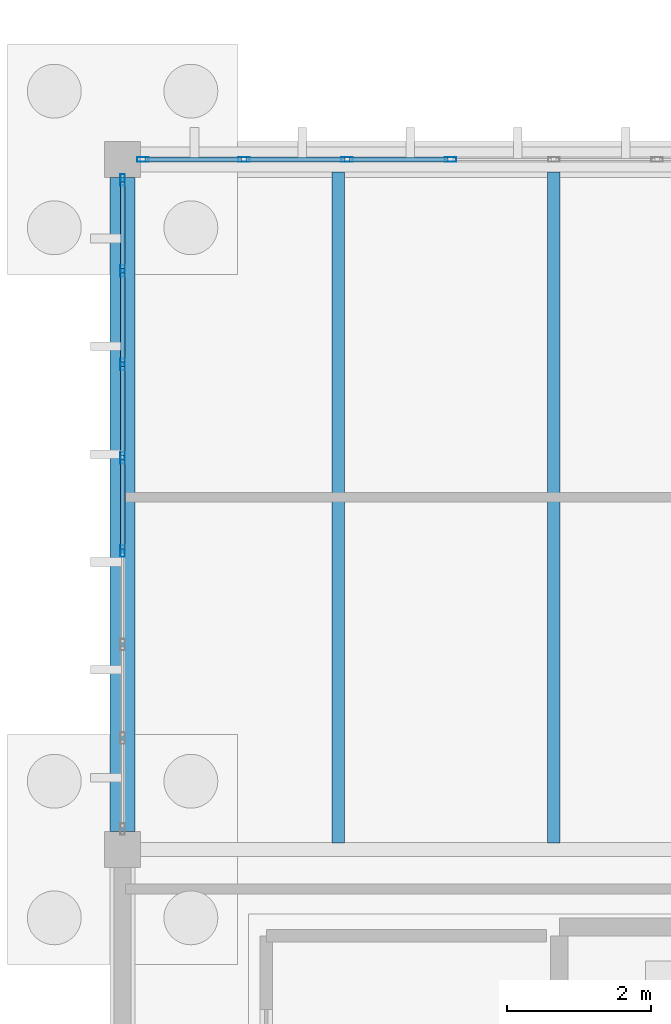
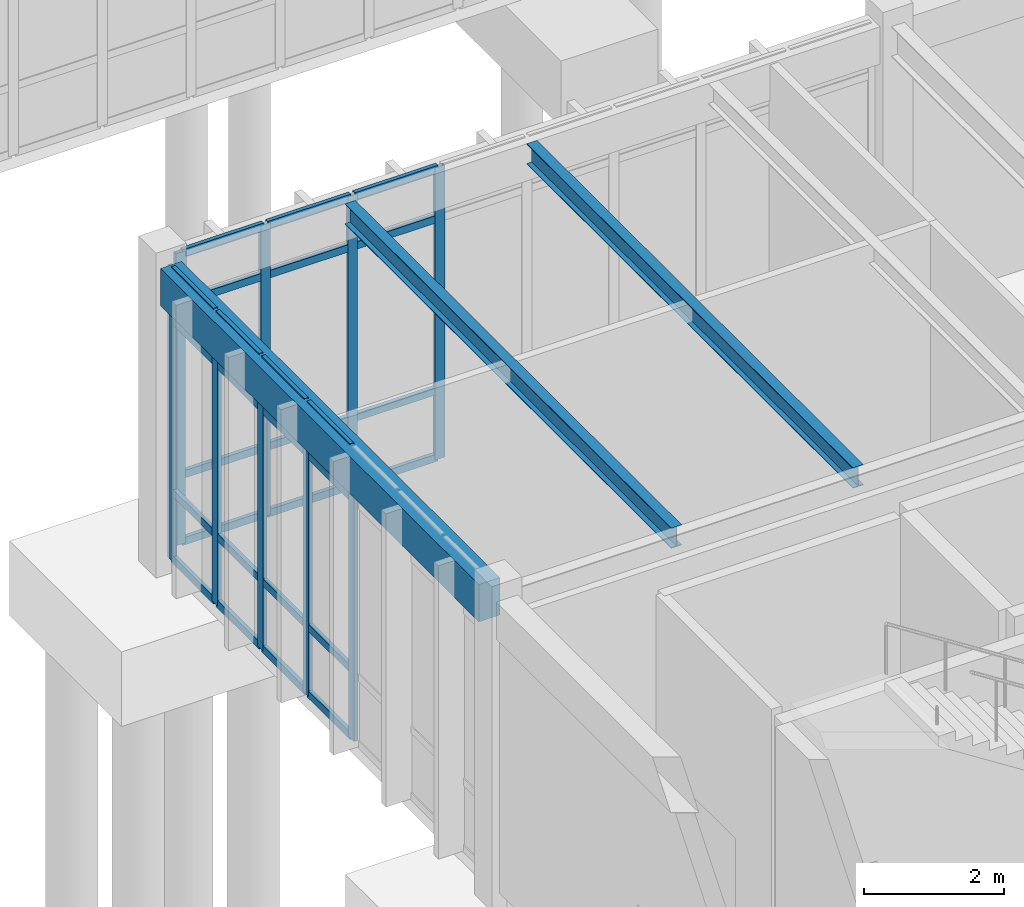
# One storey, part 27 of 188: 37 members, 3 beams, 2 elements without a shape of their own.
"""IFC4 building model written with IfcOpenShell, lengths in metres."""

from ifc_helpers import new_model, si_unit, direction, frame, origin, origin_2d, place, context, subcontext, project, spatial, rectangle, hollow_rectangle, i_section, extrude, material, layer, layer_set, material_profile, profile_set, type_object, element, aggregate, save


model = new_model("IFC4")

# Units and contexts
model_context = context("Model", 3, precision=1e-05, world=origin(), true_north=direction((0.0, 1.0)))
body_context = subcontext(model_context, "Body", "Model", "MODEL_VIEW")
ifc_project = project(units=[si_unit("LENGTHUNIT", "METRE"), si_unit("AREAUNIT", "SQUARE_METRE"), si_unit("VOLUMEUNIT", "CUBIC_METRE"), si_unit("PLANEANGLEUNIT", "RADIAN"), si_unit("MASSUNIT", "GRAM", prefix="KILO")], contexts=[model_context])

# Site, building, storey
site_placement = place(None, origin())
site = spatial("IfcSite", under=ifc_project, at=site_placement, CompositionType="ELEMENT")
building_placement = place(site_placement, origin())
building = spatial("IfcBuilding", under=site, at=building_placement, Name="Pandanus Reach Market Hall", CompositionType="ELEMENT")
storey_placement = place(building_placement, origin())
storey = spatial("IfcBuildingStorey", under=building, at=storey_placement, Name="L00", CompositionType="ELEMENT", Elevation=0.0)

# Beam
ifc_material_1 = material(Name="Concrete N40 (40 MPa)", Category="concrete")
ifc_material_profile_1 = material_profile(ifc_material_1, rectangle(XDim=0.35009765625, YDim=0.64990234375, at=origin_2d()), Name="RC350x650", Category="LoadBearing")
ifc_profile_set_1 = profile_set([ifc_material_profile_1], Name="Concrete N40 (40 MPa)")
beam_type_1 = type_object("IfcBeamType", Name="BM-RC350-E", PredefinedType="SPANDREL", material=ifc_profile_set_1)
beam_placement = place(storey_placement, frame((0.0, 19.447998046875, 4.784912109375), z_axis=(0.0, 1.0, 0.0), x_axis=(-1.0, 0.0, 0.0)))
element("IfcBeam", 1, at=beam_placement, inside=storey, type_object=beam_type_1, Name="Framing beam BM-RC350-E L00.935", PredefinedType="SPANDREL", context=body_context, shape_type="SweptSolid", body=[
    extrude(rectangle(XDim=0.35009765625, YDim=0.64990234375, at=origin_2d()), origin(), (0.0, 0.0, 1.0), 9.10400390625),
])

# Curtain wall, members
ifc_material_2 = material(Name="Bronze anodised aluminium and low-E glass", Category="aluminium")
ifc_layer_1 = layer(ifc_material_2, 0.159912109375, Name="CW-11")
ifc_layer_set_1 = layer_set([ifc_layer_1], Name="Bronze anodised aluminium and low-E glass")
curtain_wall_type_1 = type_object("IfcCurtainWallType", Name="CW-11", PredefinedType="NOTDEFINED", material=ifc_layer_set_1)
curtain_wall_1_placement = place(storey_placement, origin())
curtain_wall_1 = element("IfcCurtainWall", 2, at=curtain_wall_1_placement, inside=storey, type_object=curtain_wall_type_1, Name="Glazed curtain wall CW-11 CW-0049", PredefinedType="NOTDEFINED")
ifc_material_3 = material(Name="Bronze anodised aluminium", Category="aluminium")
ifc_material_profile_2 = material_profile(ifc_material_3, hollow_rectangle(XDim=0.06494140625, YDim=0.159912109375, WallThickness=0.00390625, at=origin_2d()), Name="ALU65x160", Category="LoadBearing")
ifc_profile_set_2 = profile_set([ifc_material_profile_2], Name="Bronze anodised aluminium")
member_type_1 = type_object("IfcMemberType", Name="CW-M1", PredefinedType="MULLION", material=ifc_profile_set_2)
member_1_placement = place(storey_placement, frame((0.282470703125, 28.800048828125, 0.0), z_axis=(0.0, 0.0, 1.0), x_axis=(0.0, 1.0, 0.0)))
member_1 = element("IfcMember", 3, at=member_1_placement, type_object=member_type_1, Name="CW-11 mullion 1", PredefinedType="MULLION", context=body_context, shape_type="SweptSolid", body=[
    extrude(hollow_rectangle(XDim=0.06494140625, YDim=0.159912109375, WallThickness=0.00390625, at=origin_2d()), origin(), (0.0, 0.0, 1.0), 5.10009765625),
])
member_2_placement = place(storey_placement, frame((1.6875, 28.800048828125, 0.0), z_axis=(0.0, 0.0, 1.0), x_axis=(0.0, 1.0, 0.0)))
member_2 = element("IfcMember", 4, at=member_2_placement, type_object=member_type_1, Name="CW-11 mullion 2", PredefinedType="MULLION", context=body_context, shape_type="SweptSolid", body=[
    extrude(hollow_rectangle(XDim=0.06494140625, YDim=0.159912109375, WallThickness=0.00390625, at=origin_2d()), origin(), (0.0, 0.0, 1.0), 5.10009765625),
])
member_3_placement = place(storey_placement, frame((3.125, 28.800048828125, 0.0), z_axis=(0.0, 0.0, 1.0), x_axis=(0.0, 1.0, 0.0)))
member_3 = element("IfcMember", 5, at=member_3_placement, type_object=member_type_1, Name="CW-11 mullion 3", PredefinedType="MULLION", context=body_context, shape_type="SweptSolid", body=[
    extrude(hollow_rectangle(XDim=0.06494140625, YDim=0.159912109375, WallThickness=0.00390625, at=origin_2d()), origin(), (0.0, 0.0, 1.0), 5.10009765625),
])
member_4_placement = place(storey_placement, frame((4.5625, 28.800048828125, 0.0), z_axis=(0.0, 0.0, 1.0), x_axis=(0.0, 1.0, 0.0)))
member_4 = element("IfcMember", 6, at=member_4_placement, type_object=member_type_1, Name="CW-11 mullion 4", PredefinedType="MULLION", context=body_context, shape_type="SweptSolid", body=[
    extrude(hollow_rectangle(XDim=0.06494140625, YDim=0.159912109375, WallThickness=0.00390625, at=origin_2d()), origin(), (0.0, 0.0, 1.0), 5.10009765625),
])

ifc_layer_2 = layer(ifc_material_2, 0.159912109375, Name="CW-13")
ifc_layer_set_2 = layer_set([ifc_layer_2], Name="Bronze anodised aluminium and low-E glass")
curtain_wall_type_2 = type_object("IfcCurtainWallType", Name="CW-13", PredefinedType="NOTDEFINED", material=ifc_layer_set_2)
curtain_wall_2_placement = place(storey_placement, origin())
curtain_wall_2 = element("IfcCurtainWall", 7, at=curtain_wall_2_placement, inside=storey, type_object=curtain_wall_type_2, Name="Glazed curtain wall CW-13 CW-0051", PredefinedType="NOTDEFINED")
member_5_placement = place(storey_placement, frame((0.0, 23.35009765625, 0.0), z_axis=(0.0, 0.0, 1.0), x_axis=(-1.0, 0.0, 0.0)))
member_5 = element("IfcMember", 8, at=member_5_placement, type_object=member_type_1, Name="CW-13 mullion 4", PredefinedType="MULLION", context=body_context, shape_type="SweptSolid", body=[
    extrude(hollow_rectangle(XDim=0.06494140625, YDim=0.159912109375, WallThickness=0.00390625, at=origin_2d()), origin(), (0.0, 0.0, 1.0), 5.10009765625),
])
member_6_placement = place(storey_placement, frame((0.0, 24.64990234375, 0.0), z_axis=(0.0, 0.0, 1.0), x_axis=(-1.0, 0.0, 0.0)))
member_6 = element("IfcMember", 9, at=member_6_placement, type_object=member_type_1, Name="CW-13 mullion 5", PredefinedType="MULLION", context=body_context, shape_type="SweptSolid", body=[
    extrude(hollow_rectangle(XDim=0.06494140625, YDim=0.159912109375, WallThickness=0.00390625, at=origin_2d()), origin(), (0.0, 0.0, 1.0), 5.10009765625),
])
member_7_placement = place(storey_placement, frame((0.0, 25.949951171875, 0.0), z_axis=(0.0, 0.0, 1.0), x_axis=(-1.0, 0.0, 0.0)))
member_7 = element("IfcMember", 10, at=member_7_placement, type_object=member_type_1, Name="CW-13 mullion 6", PredefinedType="MULLION", context=body_context, shape_type="SweptSolid", body=[
    extrude(hollow_rectangle(XDim=0.06494140625, YDim=0.159912109375, WallThickness=0.00390625, at=origin_2d()), origin(), (0.0, 0.0, 1.0), 5.10009765625),
])
member_8_placement = place(storey_placement, frame((0.0, 27.25, 0.0), z_axis=(0.0, 0.0, 1.0), x_axis=(-1.0, 0.0, 0.0)))
member_8 = element("IfcMember", 11, at=member_8_placement, type_object=member_type_1, Name="CW-13 mullion 7", PredefinedType="MULLION", context=body_context, shape_type="SweptSolid", body=[
    extrude(hollow_rectangle(XDim=0.06494140625, YDim=0.159912109375, WallThickness=0.00390625, at=origin_2d()), origin(), (0.0, 0.0, 1.0), 5.10009765625),
])
member_9_placement = place(storey_placement, frame((0.0, 28.517578125, 0.0), z_axis=(0.0, 0.0, 1.0), x_axis=(-1.0, 0.0, 0.0)))
member_9 = element("IfcMember", 12, at=member_9_placement, type_object=member_type_1, Name="CW-13 mullion 8", PredefinedType="MULLION", context=body_context, shape_type="SweptSolid", body=[
    extrude(hollow_rectangle(XDim=0.06494140625, YDim=0.159912109375, WallThickness=0.00390625, at=origin_2d()), origin(), (0.0, 0.0, 1.0), 5.10009765625),
])

# Member
ifc_material_profile_3 = material_profile(ifc_material_3, hollow_rectangle(XDim=0.06494140625, YDim=0.1298828125, WallThickness=0.00390625, at=origin_2d()), Name="ALU65x130", Category="LoadBearing")
ifc_profile_set_3 = profile_set([ifc_material_profile_3], Name="Bronze anodised aluminium")
member_type_2 = type_object("IfcMemberType", Name="CW-T1", PredefinedType="USERDEFINED", material=ifc_profile_set_3)
member_10_placement = place(storey_placement, frame((0.31494140625, 28.800048828125, 0.032470703125), z_axis=(1.0, 0.0, 0.0), x_axis=(0.0, 1.0, 0.0)))
member_10 = element("IfcMember", 13, at=member_10_placement, type_object=member_type_2, Name="CW-11 transom 1.1", ObjectType="TRANSOM", PredefinedType="USERDEFINED", context=body_context, shape_type="SweptSolid", body=[
    extrude(hollow_rectangle(XDim=0.06494140625, YDim=0.1298828125, WallThickness=0.00390625, at=origin_2d()), origin(), (0.0, 0.0, 1.0), 1.340087890625),
])

member_11_placement = place(storey_placement, frame((0.31494140625, 28.800048828125, 1.199951171875), z_axis=(1.0, 0.0, 0.0), x_axis=(0.0, 1.0, 0.0)))
member_11 = element("IfcMember", 14, at=member_11_placement, type_object=member_type_2, Name="CW-11 transom 1.2", ObjectType="TRANSOM", PredefinedType="USERDEFINED", context=body_context, shape_type="SweptSolid", body=[
    extrude(hollow_rectangle(XDim=0.06494140625, YDim=0.1298828125, WallThickness=0.00390625, at=origin_2d()), origin(), (0.0, 0.0, 1.0), 1.340087890625),
])

member_12_placement = place(storey_placement, frame((0.31494140625, 28.800048828125, 4.199951171875), z_axis=(1.0, 0.0, 0.0), x_axis=(0.0, 1.0, 0.0)))
member_12 = element("IfcMember", 15, at=member_12_placement, type_object=member_type_2, Name="CW-11 transom 1.3", ObjectType="TRANSOM", PredefinedType="USERDEFINED", context=body_context, shape_type="SweptSolid", body=[
    extrude(hollow_rectangle(XDim=0.06494140625, YDim=0.1298828125, WallThickness=0.00390625, at=origin_2d()), origin(), (0.0, 0.0, 1.0), 1.340087890625),
])

member_13_placement = place(storey_placement, frame((0.31494140625, 28.800048828125, 5.0673828125), z_axis=(1.0, 0.0, 0.0), x_axis=(0.0, 1.0, 0.0)))
member_13 = element("IfcMember", 16, at=member_13_placement, type_object=member_type_2, Name="CW-11 transom 1.4", ObjectType="TRANSOM", PredefinedType="USERDEFINED", context=body_context, shape_type="SweptSolid", body=[
    extrude(hollow_rectangle(XDim=0.06494140625, YDim=0.1298828125, WallThickness=0.00390625, at=origin_2d()), origin(), (0.0, 0.0, 1.0), 1.340087890625),
])

member_14_placement = place(storey_placement, frame((1.719970703125, 28.800048828125, 0.032470703125), z_axis=(1.0, 0.0, 0.0), x_axis=(0.0, 1.0, 0.0)))
member_14 = element("IfcMember", 17, at=member_14_placement, type_object=member_type_2, Name="CW-11 transom 2.1", ObjectType="TRANSOM", PredefinedType="USERDEFINED", context=body_context, shape_type="SweptSolid", body=[
    extrude(hollow_rectangle(XDim=0.06494140625, YDim=0.1298828125, WallThickness=0.00390625, at=origin_2d()), origin(), (0.0, 0.0, 1.0), 1.37255859375),
])

member_15_placement = place(storey_placement, frame((1.719970703125, 28.800048828125, 1.199951171875), z_axis=(1.0, 0.0, 0.0), x_axis=(0.0, 1.0, 0.0)))
member_15 = element("IfcMember", 18, at=member_15_placement, type_object=member_type_2, Name="CW-11 transom 2.2", ObjectType="TRANSOM", PredefinedType="USERDEFINED", context=body_context, shape_type="SweptSolid", body=[
    extrude(hollow_rectangle(XDim=0.06494140625, YDim=0.1298828125, WallThickness=0.00390625, at=origin_2d()), origin(), (0.0, 0.0, 1.0), 1.37255859375),
])

member_16_placement = place(storey_placement, frame((1.719970703125, 28.800048828125, 4.199951171875), z_axis=(1.0, 0.0, 0.0), x_axis=(0.0, 1.0, 0.0)))
member_16 = element("IfcMember", 19, at=member_16_placement, type_object=member_type_2, Name="CW-11 transom 2.3", ObjectType="TRANSOM", PredefinedType="USERDEFINED", context=body_context, shape_type="SweptSolid", body=[
    extrude(hollow_rectangle(XDim=0.06494140625, YDim=0.1298828125, WallThickness=0.00390625, at=origin_2d()), origin(), (0.0, 0.0, 1.0), 1.37255859375),
])

member_17_placement = place(storey_placement, frame((1.719970703125, 28.800048828125, 5.0673828125), z_axis=(1.0, 0.0, 0.0), x_axis=(0.0, 1.0, 0.0)))
member_17 = element("IfcMember", 20, at=member_17_placement, type_object=member_type_2, Name="CW-11 transom 2.4", ObjectType="TRANSOM", PredefinedType="USERDEFINED", context=body_context, shape_type="SweptSolid", body=[
    extrude(hollow_rectangle(XDim=0.06494140625, YDim=0.1298828125, WallThickness=0.00390625, at=origin_2d()), origin(), (0.0, 0.0, 1.0), 1.37255859375),
])

member_18_placement = place(storey_placement, frame((3.157470703125, 28.800048828125, 0.032470703125), z_axis=(1.0, 0.0, 0.0), x_axis=(0.0, 1.0, 0.0)))
member_18 = element("IfcMember", 21, at=member_18_placement, type_object=member_type_2, Name="CW-11 transom 3.1", ObjectType="TRANSOM", PredefinedType="USERDEFINED", context=body_context, shape_type="SweptSolid", body=[
    extrude(hollow_rectangle(XDim=0.06494140625, YDim=0.1298828125, WallThickness=0.00390625, at=origin_2d()), origin(), (0.0, 0.0, 1.0), 1.37255859375),
])

member_19_placement = place(storey_placement, frame((3.157470703125, 28.800048828125, 1.199951171875), z_axis=(1.0, 0.0, 0.0), x_axis=(0.0, 1.0, 0.0)))
member_19 = element("IfcMember", 22, at=member_19_placement, type_object=member_type_2, Name="CW-11 transom 3.2", ObjectType="TRANSOM", PredefinedType="USERDEFINED", context=body_context, shape_type="SweptSolid", body=[
    extrude(hollow_rectangle(XDim=0.06494140625, YDim=0.1298828125, WallThickness=0.00390625, at=origin_2d()), origin(), (0.0, 0.0, 1.0), 1.37255859375),
])

member_20_placement = place(storey_placement, frame((3.157470703125, 28.800048828125, 4.199951171875), z_axis=(1.0, 0.0, 0.0), x_axis=(0.0, 1.0, 0.0)))
member_20 = element("IfcMember", 23, at=member_20_placement, type_object=member_type_2, Name="CW-11 transom 3.3", ObjectType="TRANSOM", PredefinedType="USERDEFINED", context=body_context, shape_type="SweptSolid", body=[
    extrude(hollow_rectangle(XDim=0.06494140625, YDim=0.1298828125, WallThickness=0.00390625, at=origin_2d()), origin(), (0.0, 0.0, 1.0), 1.37255859375),
])

member_21_placement = place(storey_placement, frame((3.157470703125, 28.800048828125, 5.0673828125), z_axis=(1.0, 0.0, 0.0), x_axis=(0.0, 1.0, 0.0)))
member_21 = element("IfcMember", 24, at=member_21_placement, type_object=member_type_2, Name="CW-11 transom 3.4", ObjectType="TRANSOM", PredefinedType="USERDEFINED", context=body_context, shape_type="SweptSolid", body=[
    extrude(hollow_rectangle(XDim=0.06494140625, YDim=0.1298828125, WallThickness=0.00390625, at=origin_2d()), origin(), (0.0, 0.0, 1.0), 1.37255859375),
])

aggregate(curtain_wall_1, [member_1, member_2, member_3, member_4, member_10, member_11, member_12, member_13, member_14, member_15, member_16, member_17, member_18, member_19, member_20, member_21])

member_22_placement = place(storey_placement, frame((0.0, 23.382568359375, 0.032470703125), z_axis=(0.0, 1.0, 0.0), x_axis=(-1.0, 0.0, 0.0)))
member_22 = element("IfcMember", 25, at=member_22_placement, type_object=member_type_2, Name="CW-13 transom 4.1", ObjectType="TRANSOM", PredefinedType="USERDEFINED", context=body_context, shape_type="SweptSolid", body=[
    extrude(hollow_rectangle(XDim=0.06494140625, YDim=0.1298828125, WallThickness=0.00390625, at=origin_2d()), origin(), (0.0, 0.0, 1.0), 1.23486328125),
])

member_23_placement = place(storey_placement, frame((0.0, 23.382568359375, 1.199951171875), z_axis=(0.0, 1.0, 0.0), x_axis=(-1.0, 0.0, 0.0)))
member_23 = element("IfcMember", 26, at=member_23_placement, type_object=member_type_2, Name="CW-13 transom 4.2", ObjectType="TRANSOM", PredefinedType="USERDEFINED", context=body_context, shape_type="SweptSolid", body=[
    extrude(hollow_rectangle(XDim=0.06494140625, YDim=0.1298828125, WallThickness=0.00390625, at=origin_2d()), origin(), (0.0, 0.0, 1.0), 1.23486328125),
])

member_24_placement = place(storey_placement, frame((0.0, 23.382568359375, 4.199951171875), z_axis=(0.0, 1.0, 0.0), x_axis=(-1.0, 0.0, 0.0)))
member_24 = element("IfcMember", 27, at=member_24_placement, type_object=member_type_2, Name="CW-13 transom 4.3", ObjectType="TRANSOM", PredefinedType="USERDEFINED", context=body_context, shape_type="SweptSolid", body=[
    extrude(hollow_rectangle(XDim=0.06494140625, YDim=0.1298828125, WallThickness=0.00390625, at=origin_2d()), origin(), (0.0, 0.0, 1.0), 1.23486328125),
])

member_25_placement = place(storey_placement, frame((0.0, 23.382568359375, 5.0673828125), z_axis=(0.0, 1.0, 0.0), x_axis=(-1.0, 0.0, 0.0)))
member_25 = element("IfcMember", 28, at=member_25_placement, type_object=member_type_2, Name="CW-13 transom 4.4", ObjectType="TRANSOM", PredefinedType="USERDEFINED", context=body_context, shape_type="SweptSolid", body=[
    extrude(hollow_rectangle(XDim=0.06494140625, YDim=0.1298828125, WallThickness=0.00390625, at=origin_2d()), origin(), (0.0, 0.0, 1.0), 1.23486328125),
])

member_26_placement = place(storey_placement, frame((0.0, 24.6826171875, 0.032470703125), z_axis=(0.0, 1.0, 0.0), x_axis=(-1.0, 0.0, 0.0)))
member_26 = element("IfcMember", 29, at=member_26_placement, type_object=member_type_2, Name="CW-13 transom 5.1", ObjectType="TRANSOM", PredefinedType="USERDEFINED", context=body_context, shape_type="SweptSolid", body=[
    extrude(hollow_rectangle(XDim=0.06494140625, YDim=0.1298828125, WallThickness=0.00390625, at=origin_2d()), origin(), (0.0, 0.0, 1.0), 1.23486328125),
])

member_27_placement = place(storey_placement, frame((0.0, 24.6826171875, 1.199951171875), z_axis=(0.0, 1.0, 0.0), x_axis=(-1.0, 0.0, 0.0)))
member_27 = element("IfcMember", 30, at=member_27_placement, type_object=member_type_2, Name="CW-13 transom 5.2", ObjectType="TRANSOM", PredefinedType="USERDEFINED", context=body_context, shape_type="SweptSolid", body=[
    extrude(hollow_rectangle(XDim=0.06494140625, YDim=0.1298828125, WallThickness=0.00390625, at=origin_2d()), origin(), (0.0, 0.0, 1.0), 1.23486328125),
])

member_28_placement = place(storey_placement, frame((0.0, 24.6826171875, 4.199951171875), z_axis=(0.0, 1.0, 0.0), x_axis=(-1.0, 0.0, 0.0)))
member_28 = element("IfcMember", 31, at=member_28_placement, type_object=member_type_2, Name="CW-13 transom 5.3", ObjectType="TRANSOM", PredefinedType="USERDEFINED", context=body_context, shape_type="SweptSolid", body=[
    extrude(hollow_rectangle(XDim=0.06494140625, YDim=0.1298828125, WallThickness=0.00390625, at=origin_2d()), origin(), (0.0, 0.0, 1.0), 1.23486328125),
])

member_29_placement = place(storey_placement, frame((0.0, 24.6826171875, 5.0673828125), z_axis=(0.0, 1.0, 0.0), x_axis=(-1.0, 0.0, 0.0)))
member_29 = element("IfcMember", 32, at=member_29_placement, type_object=member_type_2, Name="CW-13 transom 5.4", ObjectType="TRANSOM", PredefinedType="USERDEFINED", context=body_context, shape_type="SweptSolid", body=[
    extrude(hollow_rectangle(XDim=0.06494140625, YDim=0.1298828125, WallThickness=0.00390625, at=origin_2d()), origin(), (0.0, 0.0, 1.0), 1.23486328125),
])

member_30_placement = place(storey_placement, frame((0.0, 25.982421875, 0.032470703125), z_axis=(0.0, 1.0, 0.0), x_axis=(-1.0, 0.0, 0.0)))
member_30 = element("IfcMember", 33, at=member_30_placement, type_object=member_type_2, Name="CW-13 transom 6.1", ObjectType="TRANSOM", PredefinedType="USERDEFINED", context=body_context, shape_type="SweptSolid", body=[
    extrude(hollow_rectangle(XDim=0.06494140625, YDim=0.1298828125, WallThickness=0.00390625, at=origin_2d()), origin(), (0.0, 0.0, 1.0), 1.235107421875),
])

member_31_placement = place(storey_placement, frame((0.0, 25.982421875, 1.199951171875), z_axis=(0.0, 1.0, 0.0), x_axis=(-1.0, 0.0, 0.0)))
member_31 = element("IfcMember", 34, at=member_31_placement, type_object=member_type_2, Name="CW-13 transom 6.2", ObjectType="TRANSOM", PredefinedType="USERDEFINED", context=body_context, shape_type="SweptSolid", body=[
    extrude(hollow_rectangle(XDim=0.06494140625, YDim=0.1298828125, WallThickness=0.00390625, at=origin_2d()), origin(), (0.0, 0.0, 1.0), 1.235107421875),
])

member_32_placement = place(storey_placement, frame((0.0, 25.982421875, 4.199951171875), z_axis=(0.0, 1.0, 0.0), x_axis=(-1.0, 0.0, 0.0)))
member_32 = element("IfcMember", 35, at=member_32_placement, type_object=member_type_2, Name="CW-13 transom 6.3", ObjectType="TRANSOM", PredefinedType="USERDEFINED", context=body_context, shape_type="SweptSolid", body=[
    extrude(hollow_rectangle(XDim=0.06494140625, YDim=0.1298828125, WallThickness=0.00390625, at=origin_2d()), origin(), (0.0, 0.0, 1.0), 1.235107421875),
])

member_33_placement = place(storey_placement, frame((0.0, 25.982421875, 5.0673828125), z_axis=(0.0, 1.0, 0.0), x_axis=(-1.0, 0.0, 0.0)))
member_33 = element("IfcMember", 36, at=member_33_placement, type_object=member_type_2, Name="CW-13 transom 6.4", ObjectType="TRANSOM", PredefinedType="USERDEFINED", context=body_context, shape_type="SweptSolid", body=[
    extrude(hollow_rectangle(XDim=0.06494140625, YDim=0.1298828125, WallThickness=0.00390625, at=origin_2d()), origin(), (0.0, 0.0, 1.0), 1.235107421875),
])

member_34_placement = place(storey_placement, frame((0.0, 27.282470703125, 0.032470703125), z_axis=(0.0, 1.0, 0.0), x_axis=(-1.0, 0.0, 0.0)))
member_34 = element("IfcMember", 37, at=member_34_placement, type_object=member_type_2, Name="CW-13 transom 7.1", ObjectType="TRANSOM", PredefinedType="USERDEFINED", context=body_context, shape_type="SweptSolid", body=[
    extrude(hollow_rectangle(XDim=0.06494140625, YDim=0.1298828125, WallThickness=0.00390625, at=origin_2d()), origin(), (0.0, 0.0, 1.0), 1.20263671875),
])

member_35_placement = place(storey_placement, frame((0.0, 27.282470703125, 1.199951171875), z_axis=(0.0, 1.0, 0.0), x_axis=(-1.0, 0.0, 0.0)))
member_35 = element("IfcMember", 38, at=member_35_placement, type_object=member_type_2, Name="CW-13 transom 7.2", ObjectType="TRANSOM", PredefinedType="USERDEFINED", context=body_context, shape_type="SweptSolid", body=[
    extrude(hollow_rectangle(XDim=0.06494140625, YDim=0.1298828125, WallThickness=0.00390625, at=origin_2d()), origin(), (0.0, 0.0, 1.0), 1.20263671875),
])

member_36_placement = place(storey_placement, frame((0.0, 27.282470703125, 4.199951171875), z_axis=(0.0, 1.0, 0.0), x_axis=(-1.0, 0.0, 0.0)))
member_36 = element("IfcMember", 39, at=member_36_placement, type_object=member_type_2, Name="CW-13 transom 7.3", ObjectType="TRANSOM", PredefinedType="USERDEFINED", context=body_context, shape_type="SweptSolid", body=[
    extrude(hollow_rectangle(XDim=0.06494140625, YDim=0.1298828125, WallThickness=0.00390625, at=origin_2d()), origin(), (0.0, 0.0, 1.0), 1.20263671875),
])

member_37_placement = place(storey_placement, frame((0.0, 27.282470703125, 5.0673828125), z_axis=(0.0, 1.0, 0.0), x_axis=(-1.0, 0.0, 0.0)))
member_37 = element("IfcMember", 40, at=member_37_placement, type_object=member_type_2, Name="CW-13 transom 7.4", ObjectType="TRANSOM", PredefinedType="USERDEFINED", context=body_context, shape_type="SweptSolid", body=[
    extrude(hollow_rectangle(XDim=0.06494140625, YDim=0.1298828125, WallThickness=0.00390625, at=origin_2d()), origin(), (0.0, 0.0, 1.0), 1.20263671875),
])

aggregate(curtain_wall_2, [member_5, member_6, member_7, member_8, member_9, member_22, member_23, member_24, member_25, member_26, member_27, member_28, member_29, member_30, member_31, member_32, member_33, member_34, member_35, member_36, member_37])

# Beams
ifc_material_4 = material(Name="Steel Grade 350 (350 MPa)", Category="steel")
ifc_material_profile_4 = material_profile(ifc_material_4, i_section(OverallWidth=0.1708984375, OverallDepth=0.35595703125, WebThickness=0.00732421875, FlangeThickness=0.011474609375, at=origin_2d()), Name="360UB50.7", Category="LoadBearing")
ifc_profile_set_4 = profile_set([ifc_material_profile_4], Name="Steel Grade 350 (350 MPa)")
beam_type_2 = type_object("IfcBeamType", Name="JS-UB360-I", PredefinedType="JOIST", material=ifc_profile_set_4)
for number, where, z_axis, x_axis, name in (
    (41, (3.0, 19.29296875, 4.931640625), (0.0, 1.0, 0.0), (-1.0, 0.0, 0.0), "Secondary joist JS-UB360-I L00.948"),
    (42, (6.0, 19.29296875, 4.931640625), (0.0, 1.0, 0.0), (-1.0, 0.0, 0.0), "Secondary joist JS-UB360-I L00.949"),
):
    element("IfcBeam", number, at=place(storey_placement, frame(where, z_axis=z_axis, x_axis=x_axis)), inside=storey, type_object=beam_type_2, Name=name, PredefinedType="JOIST", context=body_context, shape_type="SweptSolid", body=[
        extrude(i_section(OverallWidth=0.1708984375, OverallDepth=0.35595703125, WebThickness=0.00732421875, FlangeThickness=0.011474609375, at=origin_2d()), origin(), (0.0, 0.0, 1.0), 9.333984375),
    ])

save(model, "model.ifc")
